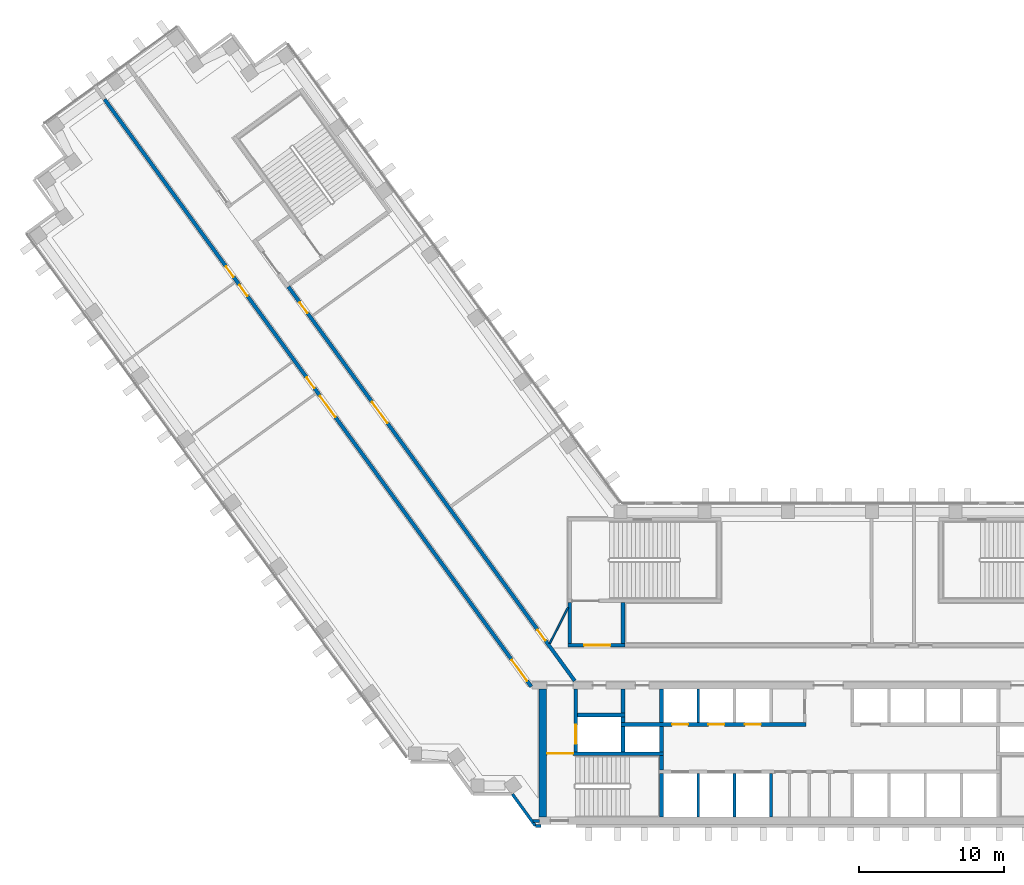
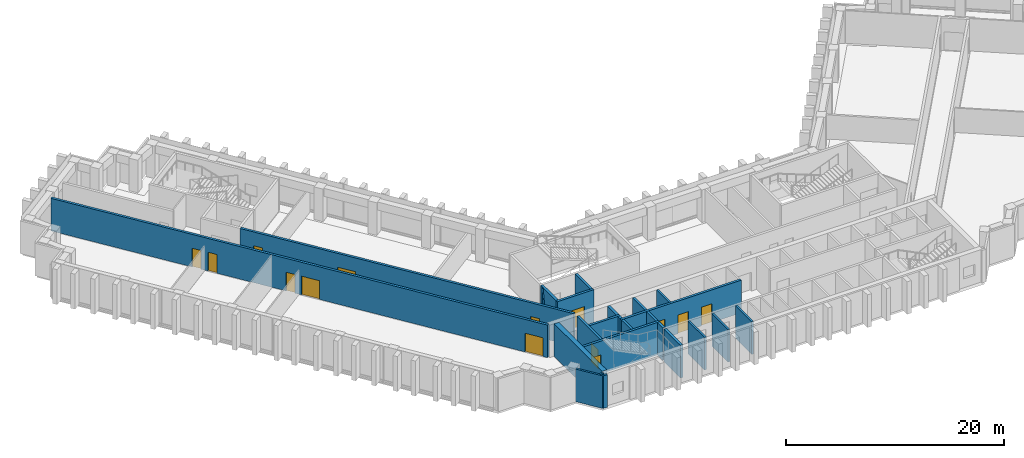
# One storey, part 5 of 12: 25 walls, 14 doors, 14 openings.
"""IFC4 building model written with IfcOpenShell, lengths in metres."""

from ifc_helpers import new_model, si_unit, direction, frame, frame_2d, origin, place, context, subcontext, project, spatial, rectangle, extrude, material, layer, layer_set, type_object, element, fill, save


model = new_model("IFC4")

# Units and contexts
model_context = context("Model", 3, precision=1e-05, world=origin(), true_north=direction((0.0, 1.0)))
body_context = subcontext(model_context, "Body", "Model", "MODEL_VIEW")
ifc_project = project(units=[si_unit("LENGTHUNIT", "METRE"), si_unit("AREAUNIT", "SQUARE_METRE"), si_unit("VOLUMEUNIT", "CUBIC_METRE"), si_unit("PLANEANGLEUNIT", "RADIAN"), si_unit("MASSUNIT", "GRAM", prefix="KILO")], contexts=[model_context])

# Site, building, storey
site_placement = place(None, origin())
site = spatial("IfcSite", under=ifc_project, at=site_placement, CompositionType="ELEMENT")
building_placement = place(site_placement, origin())
building = spatial("IfcBuilding", under=site, at=building_placement, Name="Quipu Civic Tower", CompositionType="ELEMENT")
storey_placement = place(building_placement, frame((0.0, 0.0, 121.0)))
storey = spatial("IfcBuildingStorey", under=building, at=storey_placement, Name="L28", CompositionType="ELEMENT", Elevation=121.0)

# Walls
ifc_material_1 = material(Name="Concrete C70/85", Category="concrete")
ifc_layer_1 = layer(ifc_material_1, 0.25)
ifc_layer_set_1 = layer_set([ifc_layer_1], Name="Concrete C70/85")
wall_type_1 = type_object("IfcWallType", Name="Core wall 250", PredefinedType="SHEAR", material=ifc_layer_set_1)
wall_1_placement = place(storey_placement, frame((-11.574951171875, -10.5, 0.0), z_axis=(0.0, 0.0, 1.0), x_axis=(0.0, 1.0, 0.0)))
element("IfcWall", 1, at=wall_1_placement, inside=storey, type_object=wall_type_1, Name="Core wall", PredefinedType="SHEAR", context=body_context, shape_type="SweptSolid", body=[
    extrude(rectangle(XDim=3.0, YDim=0.25, at=frame_2d((1.5, 0.0))), origin(), (0.0, 0.0, 1.0), 3.64990234375),
])
wall_2_placement = place(storey_placement, frame((-11.574951171875, -7.25, 0.0), z_axis=(0.0, 0.0, 1.0), x_axis=(0.0, 1.0, 0.0)))
element("IfcWall", 2, at=wall_2_placement, inside=storey, type_object=wall_type_1, Name="Core wall", PredefinedType="SHEAR", context=body_context, shape_type="SweptSolid", body=[
    extrude(rectangle(XDim=1.0, YDim=0.25, at=frame_2d((0.5, 0.0))), origin(), (0.0, 0.0, 1.0), 3.64990234375),
])

# Wall, opening, door
wall_3_placement = place(storey_placement, frame((-11.449951171875, -6.125, 0.0), z_axis=(0.0, 0.0, 1.0), x_axis=(-1.0, 0.0, 0.0)))
wall_3 = element("IfcWall", 3, at=wall_3_placement, inside=storey, type_object=wall_type_1, Name="Core wall", PredefinedType="SHEAR", context=body_context, shape_type="SweptSolid", body=[
    extrude(rectangle(XDim=8.050048828125, YDim=0.25, at=frame_2d((4.02490234375, 0.0))), origin(), (0.0, 0.0, 1.0), 3.64990234375),
])
opening_1_placement = place(wall_3_placement, frame((6.199951171875, 0.0, 0.0)))
opening_1 = element("IfcOpeningElement", 4, at=opening_1_placement, cuts=wall_3, Name="Opening CD-05", PredefinedType="OPENING", context=body_context, shape_type="SweptSolid", body=[
    extrude(rectangle(XDim=1.800048828125, YDim=2.10009765625, at=frame_2d((0.89990234375, 1.050048828125))), frame((0.0, 0.135009765625, 0.0), z_axis=(0.0, -1.0, 0.0), x_axis=(1.0, 0.0, 0.0)), (0.0, 0.0, 1.0), 0.27001953125),
])
ifc_material_2 = material(Name="Fire rated steel door", Category="steel")
door_type_1 = type_object("IfcDoorType", Name="Fire door FD90 double 1800 x 2100", OperationType="NOTDEFINED", PredefinedType="DOOR", material=ifc_material_2)
door_1_placement = place(opening_1_placement, origin())
door_1 = element("IfcDoor", 5, at=door_1_placement, inside=storey, type_object=door_type_1, Name="Door", OperationType="DOUBLE_DOOR_SINGLE_SWING", OverallHeight=2.10009765625, OverallWidth=1.800048828125, PredefinedType="DOOR", context=body_context, shape_type="SweptSolid", body=[
    extrude(rectangle(XDim=1.800048828125, YDim=2.10009765625, at=frame_2d((0.89990234375, 1.050048828125))), frame((0.0, 0.02490234375, 0.0), z_axis=(0.0, -1.0, 0.0), x_axis=(1.0, 0.0, 0.0)), (0.0, 0.0, 1.0), 0.050048828125),
])
fill(opening_1, door_1)

wall_4_placement = place(storey_placement, frame((-17.47509765625, -6.0, 0.0), z_axis=(0.0, 0.0, 1.0), x_axis=(0.0, 1.0, 0.0)))
wall_4 = element("IfcWall", 6, at=wall_4_placement, inside=storey, type_object=wall_type_1, Name="Core wall", PredefinedType="SHEAR", context=body_context, shape_type="SweptSolid", body=[
    extrude(rectangle(XDim=4.300048828125, YDim=0.25, at=frame_2d((2.14990234375, 0.0))), origin(), (0.0, 0.0, 1.0), 3.64990234375),
])
opening_2_placement = place(wall_4_placement, frame((0.550048828125, 0.0, 0.0)))
opening_2 = element("IfcOpeningElement", 7, at=opening_2_placement, cuts=wall_4, Name="Opening LD-FF1", PredefinedType="OPENING", context=body_context, shape_type="SweptSolid", body=[
    extrude(rectangle(XDim=1.300048828125, YDim=2.10009765625, at=frame_2d((0.64990234375, 1.050048828125))), frame((0.0, 0.135009765625, 0.0), z_axis=(0.0, -1.0, 0.0), x_axis=(1.0, 0.0, 0.0)), (0.0, 0.0, 1.0), 0.27001953125),
])
ifc_material_3 = material(Name="Stainless steel", Category="steel")
door_type_2 = type_object("IfcDoorType", Name="Lift landing door 1300 x 2100", OperationType="DOUBLE_DOOR_SLIDING", PredefinedType="DOOR", material=ifc_material_3)
door_2_placement = place(opening_2_placement, origin())
door_2 = element("IfcDoor", 8, at=door_2_placement, inside=storey, type_object=door_type_2, Name="Landing door FF1", OperationType="DOUBLE_DOOR_SLIDING", OverallHeight=2.10009765625, OverallWidth=1.300048828125, PredefinedType="DOOR", context=body_context, shape_type="SweptSolid", body=[
    extrude(rectangle(XDim=1.300048828125, YDim=2.10009765625, at=frame_2d((0.64990234375, 1.050048828125))), frame((0.0, 0.02490234375, 0.0), z_axis=(0.0, -1.0, 0.0), x_axis=(1.0, 0.0, 0.0)), (0.0, 0.0, 1.0), 0.050048828125),
])
fill(opening_2, door_2)

# Walls
for number, where, z_axis, x_axis, name in (
    (9, (-14.22509765625, -6.0, 0.0), (0.0, 0.0, 1.0), (0.0, 1.0, 0.0), "Core wall"),
    (10, (-11.574951171875, -6.0, 0.0), (0.0, 0.0, 1.0), (0.0, 1.0, 0.0), "Core wall"),
):
    element("IfcWall", number, at=place(storey_placement, frame(where, z_axis=z_axis, x_axis=x_axis)), inside=storey, type_object=wall_type_1, Name=name, PredefinedType="SHEAR", context=body_context, shape_type="SweptSolid", body=[
        extrude(rectangle(XDim=1.75, YDim=0.25, at=frame_2d((0.875, 0.0))), origin(), (0.0, 0.0, 1.0), 3.64990234375),
    ])

# Wall, openings, doors
wall_5_placement = place(storey_placement, frame((-14.35009765625, -4.125, 0.0), z_axis=(0.0, 0.0, 1.0), x_axis=(1.0, 0.0, 0.0)))
wall_5 = element("IfcWall", 11, at=wall_5_placement, inside=storey, type_object=wall_type_1, Name="Core wall", PredefinedType="SHEAR", context=body_context, shape_type="SweptSolid", body=[
    extrude(rectangle(XDim=12.7001953125, YDim=0.25, at=frame_2d((6.35009765625, 0.0))), origin(), (0.0, 0.0, 1.0), 3.64990234375),
])
opening_3_placement = place(wall_5_placement, frame((3.5, 0.0, 0.0)))
opening_3 = element("IfcOpeningElement", 12, at=opening_3_placement, cuts=wall_5, Name="Opening LD-LL4", PredefinedType="OPENING", context=body_context, shape_type="SweptSolid", body=[
    extrude(rectangle(XDim=1.10009765625, YDim=2.10009765625, at=frame_2d((0.550048828125, 1.050048828125))), frame((0.0, 0.135009765625, 0.0), z_axis=(0.0, -1.0, 0.0), x_axis=(1.0, 0.0, 0.0)), (0.0, 0.0, 1.0), 0.27001953125),
])
opening_4_placement = place(wall_5_placement, frame((6.0, 0.0, 0.0)))
opening_4 = element("IfcOpeningElement", 13, at=opening_4_placement, cuts=wall_5, Name="Opening LD-LL5", PredefinedType="OPENING", context=body_context, shape_type="SweptSolid", body=[
    extrude(rectangle(XDim=1.10009765625, YDim=2.10009765625, at=frame_2d((0.550048828125, 1.050048828125))), frame((0.0, 0.135009765625, 0.0), z_axis=(0.0, -1.0, 0.0), x_axis=(1.0, 0.0, 0.0)), (0.0, 0.0, 1.0), 0.27001953125),
])
opening_5_placement = place(wall_5_placement, frame((8.5, 0.0, 0.0)))
opening_5 = element("IfcOpeningElement", 14, at=opening_5_placement, cuts=wall_5, Name="Opening LD-LL6", PredefinedType="OPENING", context=body_context, shape_type="SweptSolid", body=[
    extrude(rectangle(XDim=1.10009765625, YDim=2.10009765625, at=frame_2d((0.550048828125, 1.050048828125))), frame((0.0, 0.135009765625, 0.0), z_axis=(0.0, -1.0, 0.0), x_axis=(1.0, 0.0, 0.0)), (0.0, 0.0, 1.0), 0.27001953125),
])
ifc_material_4 = material(Name="Stainless steel", Category="steel")
door_type_3 = type_object("IfcDoorType", Name="Lift landing door 1100 x 2100", OperationType="DOUBLE_DOOR_SLIDING", PredefinedType="DOOR", material=ifc_material_4)
door_3_placement = place(opening_3_placement, origin())
door_3 = element("IfcDoor", 15, at=door_3_placement, inside=storey, type_object=door_type_3, Name="Landing door LL4", OperationType="DOUBLE_DOOR_SLIDING", OverallHeight=2.10009765625, OverallWidth=1.10009765625, PredefinedType="DOOR", context=body_context, shape_type="SweptSolid", body=[
    extrude(rectangle(XDim=1.10009765625, YDim=2.10009765625, at=frame_2d((0.550048828125, 1.050048828125))), frame((0.0, 0.02490234375, 0.0), z_axis=(0.0, -1.0, 0.0), x_axis=(1.0, 0.0, 0.0)), (0.0, 0.0, 1.0), 0.050048828125),
])
fill(opening_3, door_3)
door_4_placement = place(opening_4_placement, origin())
door_4 = element("IfcDoor", 16, at=door_4_placement, inside=storey, type_object=door_type_3, Name="Landing door LL5", OperationType="DOUBLE_DOOR_SLIDING", OverallHeight=2.10009765625, OverallWidth=1.10009765625, PredefinedType="DOOR", context=body_context, shape_type="SweptSolid", body=[
    extrude(rectangle(XDim=1.10009765625, YDim=2.10009765625, at=frame_2d((0.550048828125, 1.050048828125))), frame((0.0, 0.02490234375, 0.0), z_axis=(0.0, -1.0, 0.0), x_axis=(1.0, 0.0, 0.0)), (0.0, 0.0, 1.0), 0.050048828125),
])
fill(opening_4, door_4)
door_5_placement = place(opening_5_placement, origin())
door_5 = element("IfcDoor", 17, at=door_5_placement, inside=storey, type_object=door_type_3, Name="Landing door LL6", OperationType="DOUBLE_DOOR_SLIDING", OverallHeight=2.10009765625, OverallWidth=1.10009765625, PredefinedType="DOOR", context=body_context, shape_type="SweptSolid", body=[
    extrude(rectangle(XDim=1.10009765625, YDim=2.10009765625, at=frame_2d((0.550048828125, 1.050048828125))), frame((0.0, 0.02490234375, 0.0), z_axis=(0.0, -1.0, 0.0), x_axis=(1.0, 0.0, 0.0)), (0.0, 0.0, 1.0), 0.050048828125),
])
fill(opening_5, door_5)

# Walls
wall_6_placement = place(storey_placement, frame((-14.22509765625, -4.0, 0.0), z_axis=(0.0, 0.0, 1.0), x_axis=(0.0, 1.0, 0.0)))
element("IfcWall", 18, at=wall_6_placement, inside=storey, type_object=wall_type_1, Name="Core wall", PredefinedType="SHEAR", context=body_context, shape_type="SweptSolid", body=[
    extrude(rectangle(XDim=0.39990234375, YDim=0.25, at=frame_2d((0.199951171875, 0.0))), origin(), (0.0, 0.0, 1.0), 3.64990234375),
])
wall_7_placement = place(storey_placement, frame((-11.574951171875, -4.0, 0.0), z_axis=(0.0, 0.0, 1.0), x_axis=(0.0, 1.0, 0.0)))
element("IfcWall", 19, at=wall_7_placement, inside=storey, type_object=wall_type_1, Name="Core wall", PredefinedType="SHEAR", context=body_context, shape_type="SweptSolid", body=[
    extrude(rectangle(XDim=2.300048828125, YDim=0.25, at=frame_2d((1.14990234375, 0.0))), origin(), (0.0, 0.0, 1.0), 3.64990234375),
])
wall_8_placement = place(storey_placement, frame((-17.35009765625, -3.47509765625, 0.0), z_axis=(0.0, 0.0, 1.0), x_axis=(1.0, 0.0, 0.0)))
element("IfcWall", 20, at=wall_8_placement, inside=storey, type_object=wall_type_1, Name="Core wall", PredefinedType="SHEAR", context=body_context, shape_type="SweptSolid", body=[
    extrude(rectangle(XDim=3.25, YDim=0.25, at=frame_2d((1.625, 0.0))), origin(), (0.0, 0.0, 1.0), 3.64990234375),
])
wall_9_placement = place(storey_placement, frame((-14.22509765625, -3.35009765625, 0.0), z_axis=(0.0, 0.0, 1.0), x_axis=(0.0, 1.0, 0.0)))
element("IfcWall", 21, at=wall_9_placement, inside=storey, type_object=wall_type_1, Name="Core wall", PredefinedType="SHEAR", context=body_context, shape_type="SweptSolid", body=[
    extrude(rectangle(XDim=1.650146484375, YDim=0.25, at=frame_2d((0.8251953125, 0.0))), origin(), (0.0, 0.0, 1.0), 3.64990234375),
])

# Wall, opening, door
wall_10_placement = place(storey_placement, frame((-18.0, 1.324951171875, 0.0), z_axis=(0.0, 0.0, 1.0), x_axis=(1.0, 0.0, 0.0)))
wall_10 = element("IfcWall", 22, at=wall_10_placement, inside=storey, type_object=wall_type_1, Name="Core wall", PredefinedType="SHEAR", context=body_context, shape_type="SweptSolid", body=[
    extrude(rectangle(XDim=3.89990234375, YDim=0.25, at=frame_2d((1.949951171875, 0.0))), origin(), (0.0, 0.0, 1.0), 3.64990234375),
])
opening_6_placement = place(wall_10_placement, frame((1.10009765625, 0.0, 0.0)))
opening_6 = element("IfcOpeningElement", 23, at=opening_6_placement, cuts=wall_10, Name="Opening CD-16", PredefinedType="OPENING", context=body_context, shape_type="SweptSolid", body=[
    extrude(rectangle(XDim=1.800048828125, YDim=2.10009765625, at=frame_2d((0.89990234375, 1.050048828125))), frame((0.0, 0.135009765625, 0.0), z_axis=(0.0, -1.0, 0.0), x_axis=(1.0, 0.0, 0.0)), (0.0, 0.0, 1.0), 0.27001953125),
])
door_6_placement = place(opening_6_placement, origin())
door_6 = element("IfcDoor", 24, at=door_6_placement, inside=storey, type_object=door_type_1, Name="Lobby door", OperationType="DOUBLE_DOOR_SINGLE_SWING", OverallHeight=2.10009765625, OverallWidth=1.800048828125, PredefinedType="DOOR", context=body_context, shape_type="SweptSolid", body=[
    extrude(rectangle(XDim=1.800048828125, YDim=2.10009765625, at=frame_2d((0.89990234375, 1.050048828125))), frame((0.0, 0.02490234375, 0.0), z_axis=(0.0, -1.0, 0.0), x_axis=(1.0, 0.0, 0.0)), (0.0, 0.0, 1.0), 0.050048828125),
])
fill(opening_6, door_6)

# Walls
for number, where, z_axis, x_axis, name in (
    (25, (-17.875, 1.449951171875, 0.0), (0.0, 0.0, 1.0), (0.0, 1.0, 0.0), "Core wall"),
    (26, (-14.22509765625, 1.449951171875, 0.0), (0.0, 0.0, 1.0), (0.0, 1.0, 0.0), "Core wall"),
):
    element("IfcWall", number, at=place(storey_placement, frame(where, z_axis=z_axis, x_axis=x_axis)), inside=storey, type_object=wall_type_1, Name=name, PredefinedType="SHEAR", context=body_context, shape_type="SweptSolid", body=[
        extrude(rectangle(XDim=2.800048828125, YDim=0.25, at=frame_2d((1.39990234375, 0.0))), origin(), (0.0, 0.0, 1.0), 3.64990234375),
    ])
ifc_material_5 = material(Name="Concrete C70/85", Category="concrete")
ifc_layer_2 = layer(ifc_material_5, 0.5)
ifc_layer_set_2 = layer_set([ifc_layer_2], Name="Concrete C70/85")
wall_type_2 = type_object("IfcWallType", Name="Core wall 500", PredefinedType="SHEAR", material=ifc_layer_set_2)
wall_11_placement = place(storey_placement, frame((-19.75, -10.5, 0.0), z_axis=(0.0, 0.0, 1.0), x_axis=(0.0, 1.0, 0.0)))
element("IfcWall", 27, at=wall_11_placement, inside=storey, type_object=wall_type_2, Name="Core wall", PredefinedType="SHEAR", context=body_context, shape_type="SweptSolid", body=[
    extrude(rectangle(XDim=8.800048828125, YDim=0.5, at=frame_2d((4.39990234375, 0.0))), origin(), (0.0, 0.0, 1.0), 3.64990234375),
])

# Wall, openings, doors
ifc_material_6 = material(Name="Concrete C50/60", Category="concrete")
ifc_layer_3 = layer(ifc_material_6, 0.25)
ifc_layer_set_3 = layer_set([ifc_layer_3], Name="Concrete C50/60")
wall_type_3 = type_object("IfcWallType", Name="Corridor wall 250 concrete", PredefinedType="SOLIDWALL", material=ifc_layer_set_3)
wall_12_placement = place(storey_placement, frame((-20.531005859375, -1.5234375, 0.0), z_axis=(0.0, 0.0, 1.0), x_axis=(-0.587784522481, 0.809017524614, 0.0)))
wall_12 = element("IfcWall", 28, at=wall_12_placement, inside=storey, type_object=wall_type_3, Name="Corridor wall C01", PredefinedType="SOLIDWALL", context=body_context, shape_type="SweptSolid", body=[
    extrude(rectangle(XDim=49.912353515625, YDim=0.25, at=frame_2d((24.9560546875, 0.0))), origin(), (0.0, 0.0, 1.0), 3.64990234375),
])
opening_7_placement = place(wall_12_placement, frame((34.816162109375, 0.0, 0.0)))
opening_7 = element("IfcOpeningElement", 29, at=opening_7_placement, cuts=wall_12, Name="Opening D013", PredefinedType="OPENING", context=body_context, shape_type="SweptSolid", body=[
    extrude(rectangle(XDim=0.89990234375, YDim=2.10009765625, at=frame_2d((0.449951171875, 1.050048828125))), frame((0.0, 0.135009765625, 0.0), z_axis=(0.0, -1.0, 0.0), x_axis=(1.0, 0.0, 0.0)), (0.0, 0.0, 1.0), 0.27001953125),
])
opening_8_placement = place(wall_12_placement, frame((33.21533203125, 0.0, 0.0)))
opening_8 = element("IfcOpeningElement", 30, at=opening_8_placement, cuts=wall_12, Name="Opening D014", PredefinedType="OPENING", context=body_context, shape_type="SweptSolid", body=[
    extrude(rectangle(XDim=0.89990234375, YDim=2.10009765625, at=frame_2d((0.449951171875, 1.050048828125))), frame((0.0, 0.135009765625, 0.0), z_axis=(0.0, -1.0, 0.0), x_axis=(1.0, 0.0, 0.0)), (0.0, 0.0, 1.0), 0.27001953125),
])
opening_9_placement = place(wall_12_placement, frame((22.915771484375, 0.0, 0.0)))
opening_9 = element("IfcOpeningElement", 31, at=opening_9_placement, cuts=wall_12, Name="Opening D016", PredefinedType="OPENING", context=body_context, shape_type="SweptSolid", body=[
    extrude(rectangle(XDim=1.800048828125, YDim=2.10009765625, at=frame_2d((0.89990234375, 1.050048828125))), frame((0.0, 0.135009765625, 0.0), z_axis=(0.0, -1.0, 0.0), x_axis=(1.0, 0.0, 0.0)), (0.0, 0.0, 1.0), 0.27001953125),
])
opening_10_placement = place(wall_12_placement, frame((0.483154296875, 0.0, 0.0)))
opening_10 = element("IfcOpeningElement", 32, at=opening_10_placement, cuts=wall_12, Name="Opening D017", PredefinedType="OPENING", context=body_context, shape_type="SweptSolid", body=[
    extrude(rectangle(XDim=1.800048828125, YDim=2.10009765625, at=frame_2d((0.89990234375, 1.050048828125))), frame((0.0, 0.135009765625, 0.0), z_axis=(0.0, -1.0, 0.0), x_axis=(1.0, 0.0, 0.0)), (0.0, 0.0, 1.0), 0.27001953125),
])
opening_11_placement = place(wall_12_placement, frame((25.365234375, 0.0, 0.0)))
opening_11 = element("IfcOpeningElement", 33, at=opening_11_placement, cuts=wall_12, Name="Opening D015", PredefinedType="OPENING", context=body_context, shape_type="SweptSolid", body=[
    extrude(rectangle(XDim=0.89990234375, YDim=2.10009765625, at=frame_2d((0.449951171875, 1.050048828125))), frame((0.0, 0.135009765625, 0.0), z_axis=(0.0, -1.0, 0.0), x_axis=(1.0, 0.0, 0.0)), (0.0, 0.0, 1.0), 0.27001953125),
])
ifc_material_7 = material(Name="Fire rated timber door set with metal frame", Category="wood")
door_type_4 = type_object("IfcDoorType", Name="Double door 1800 x 2100 FD60", OperationType="DOUBLE_DOOR_SINGLE_SWING", PredefinedType="DOOR", material=ifc_material_7)
door_7_placement = place(opening_9_placement, origin())
door_7 = element("IfcDoor", 34, at=door_7_placement, inside=storey, type_object=door_type_4, Name="Door D016", OperationType="DOUBLE_DOOR_SINGLE_SWING", OverallHeight=2.10009765625, OverallWidth=1.800048828125, PredefinedType="DOOR", context=body_context, shape_type="SweptSolid", body=[
    extrude(rectangle(XDim=1.800048828125, YDim=2.10009765625, at=frame_2d((0.89990234375, 1.050048828125))), frame((0.0, 0.02490234375, 0.0), z_axis=(0.0, -1.0, 0.0), x_axis=(1.0, 0.0, 0.0)), (0.0, 0.0, 1.0), 0.050048828125),
])
fill(opening_9, door_7)
door_8_placement = place(opening_10_placement, origin())
door_8 = element("IfcDoor", 35, at=door_8_placement, inside=storey, type_object=door_type_4, Name="Door D017", OperationType="DOUBLE_DOOR_SINGLE_SWING", OverallHeight=2.10009765625, OverallWidth=1.800048828125, PredefinedType="DOOR", context=body_context, shape_type="SweptSolid", body=[
    extrude(rectangle(XDim=1.800048828125, YDim=2.10009765625, at=frame_2d((0.89990234375, 1.050048828125))), frame((0.0, 0.02490234375, 0.0), z_axis=(0.0, -1.0, 0.0), x_axis=(1.0, 0.0, 0.0)), (0.0, 0.0, 1.0), 0.050048828125),
])
fill(opening_10, door_8)
ifc_material_8 = material(Name="Fire rated timber door set with metal frame", Category="wood")
door_type_5 = type_object("IfcDoorType", Name="Single door 900 x 2100 FD60", OperationType="NOTDEFINED", PredefinedType="DOOR", material=ifc_material_8)
door_9_placement = place(opening_7_placement, origin())
door_9 = element("IfcDoor", 36, at=door_9_placement, inside=storey, type_object=door_type_5, Name="Door D013", OperationType="SINGLE_SWING_LEFT", OverallHeight=2.10009765625, OverallWidth=0.89990234375, PredefinedType="DOOR", context=body_context, shape_type="SweptSolid", body=[
    extrude(rectangle(XDim=0.89990234375, YDim=2.10009765625, at=frame_2d((0.449951171875, 1.050048828125))), frame((0.0, 0.02490234375, 0.0), z_axis=(0.0, -1.0, 0.0), x_axis=(1.0, 0.0, 0.0)), (0.0, 0.0, 1.0), 0.050048828125),
])
fill(opening_7, door_9)
door_10_placement = place(opening_8_placement, origin())
door_10 = element("IfcDoor", 37, at=door_10_placement, inside=storey, type_object=door_type_5, Name="Door D014", OperationType="SINGLE_SWING_RIGHT", OverallHeight=2.10009765625, OverallWidth=0.89990234375, PredefinedType="DOOR", context=body_context, shape_type="SweptSolid", body=[
    extrude(rectangle(XDim=0.89990234375, YDim=2.10009765625, at=frame_2d((0.449951171875, 1.050048828125))), frame((0.0, 0.02490234375, 0.0), z_axis=(0.0, -1.0, 0.0), x_axis=(1.0, 0.0, 0.0)), (0.0, 0.0, 1.0), 0.050048828125),
])
fill(opening_8, door_10)
door_11_placement = place(opening_11_placement, origin())
door_11 = element("IfcDoor", 38, at=door_11_placement, inside=storey, type_object=door_type_5, Name="Door D015", OperationType="SINGLE_SWING_LEFT", OverallHeight=2.10009765625, OverallWidth=0.89990234375, PredefinedType="DOOR", context=body_context, shape_type="SweptSolid", body=[
    extrude(rectangle(XDim=0.89990234375, YDim=2.10009765625, at=frame_2d((0.449951171875, 1.050048828125))), frame((0.0, 0.02490234375, 0.0), z_axis=(0.0, -1.0, 0.0), x_axis=(1.0, 0.0, 0.0)), (0.0, 0.0, 1.0), 0.050048828125),
])
fill(opening_11, door_11)

wall_13_placement = place(storey_placement, frame((-37.231689453125, 25.9716796875, 0.0), z_axis=(0.0, 0.0, 1.0), x_axis=(0.587786323093, -0.809016216391, 0.0)))
wall_13 = element("IfcWall", 39, at=wall_13_placement, inside=storey, type_object=wall_type_3, Name="Corridor wall C03", PredefinedType="SOLIDWALL", context=body_context, shape_type="SweptSolid", body=[
    extrude(rectangle(XDim=33.4931640625, YDim=0.25, at=frame_2d((16.74658203125, 0.0))), origin(), (0.0, 0.0, 1.0), 3.64990234375),
])
opening_12_placement = place(wall_13_placement, frame((9.784912109375, 0.0, 0.0)))
opening_12 = element("IfcOpeningElement", 40, at=opening_12_placement, cuts=wall_13, Name="Opening D011", PredefinedType="OPENING", context=body_context, shape_type="SweptSolid", body=[
    extrude(rectangle(XDim=1.800048828125, YDim=2.10009765625, at=frame_2d((0.89990234375, 1.050048828125))), frame((0.0, 0.135009765625, 0.0), z_axis=(0.0, -1.0, 0.0), x_axis=(1.0, 0.0, 0.0)), (0.0, 0.0, 1.0), 0.27001953125),
])
opening_13_placement = place(wall_13_placement, frame((29.151611328125, 0.0, 0.0)))
opening_13 = element("IfcOpeningElement", 41, at=opening_13_placement, cuts=wall_13, Name="Opening D012", PredefinedType="OPENING", context=body_context, shape_type="SweptSolid", body=[
    extrude(rectangle(XDim=0.89990234375, YDim=2.10009765625, at=frame_2d((0.449951171875, 1.050048828125))), frame((0.0, 0.135009765625, 0.0), z_axis=(0.0, -1.0, 0.0), x_axis=(1.0, 0.0, 0.0)), (0.0, 0.0, 1.0), 0.27001953125),
])
opening_14_placement = place(wall_13_placement, frame((1.335205078125, 0.0, 0.0)))
opening_14 = element("IfcOpeningElement", 42, at=opening_14_placement, cuts=wall_13, Name="Opening D010", PredefinedType="OPENING", context=body_context, shape_type="SweptSolid", body=[
    extrude(rectangle(XDim=0.89990234375, YDim=2.10009765625, at=frame_2d((0.449951171875, 1.050048828125))), frame((0.0, 0.135009765625, 0.0), z_axis=(0.0, -1.0, 0.0), x_axis=(1.0, 0.0, 0.0)), (0.0, 0.0, 1.0), 0.27001953125),
])
door_12_placement = place(opening_12_placement, origin())
door_12 = element("IfcDoor", 43, at=door_12_placement, inside=storey, type_object=door_type_4, Name="Door D011", OperationType="DOUBLE_DOOR_SINGLE_SWING", OverallHeight=2.10009765625, OverallWidth=1.800048828125, PredefinedType="DOOR", context=body_context, shape_type="SweptSolid", body=[
    extrude(rectangle(XDim=1.800048828125, YDim=2.10009765625, at=frame_2d((0.89990234375, 1.050048828125))), frame((0.0, 0.02490234375, 0.0), z_axis=(0.0, -1.0, 0.0), x_axis=(1.0, 0.0, 0.0)), (0.0, 0.0, 1.0), 0.050048828125),
])
fill(opening_12, door_12)
door_13_placement = place(opening_13_placement, origin())
door_13 = element("IfcDoor", 44, at=door_13_placement, inside=storey, type_object=door_type_5, Name="Door D012", OperationType="SINGLE_SWING_RIGHT", OverallHeight=2.10009765625, OverallWidth=0.89990234375, PredefinedType="DOOR", context=body_context, shape_type="SweptSolid", body=[
    extrude(rectangle(XDim=0.89990234375, YDim=2.10009765625, at=frame_2d((0.449951171875, 1.050048828125))), frame((0.0, 0.02490234375, 0.0), z_axis=(0.0, -1.0, 0.0), x_axis=(1.0, 0.0, 0.0)), (0.0, 0.0, 1.0), 0.050048828125),
])
fill(opening_13, door_13)
door_14_placement = place(opening_14_placement, origin())
door_14 = element("IfcDoor", 45, at=door_14_placement, inside=storey, type_object=door_type_5, Name="Door D010", OperationType="SINGLE_SWING_RIGHT", OverallHeight=2.10009765625, OverallWidth=0.89990234375, PredefinedType="DOOR", context=body_context, shape_type="SweptSolid", body=[
    extrude(rectangle(XDim=0.89990234375, YDim=2.10009765625, at=frame_2d((0.449951171875, 1.050048828125))), frame((0.0, 0.02490234375, 0.0), z_axis=(0.0, -1.0, 0.0), x_axis=(1.0, 0.0, 0.0)), (0.0, 0.0, 1.0), 0.050048828125),
])
fill(opening_14, door_14)

# Walls
ifc_material_9 = material(Name="Gypsum plasterboard on light gauge framing")
ifc_layer_4 = layer(ifc_material_9, 0.1201171875)
ifc_layer_set_4 = layer_set([ifc_layer_4], Name="Gypsum plasterboard on light gauge framing")
wall_type_4 = type_object("IfcWallType", Name="Partition 120 plasterboard", PredefinedType="PARTITIONING", material=ifc_layer_set_4)
wall_14_placement = place(storey_placement, frame((-19.260986328125, 1.449951171875, 0.0), z_axis=(0.0, 0.0, 1.0), x_axis=(0.453950796792, 0.891026752736, 0.0)))
element("IfcWall", 46, at=wall_14_placement, inside=storey, type_object=wall_type_4, Name="Partition P14", PredefinedType="PARTITIONING", context=body_context, shape_type="SweptSolid", body=[
    extrude(rectangle(XDim=2.77783203125, YDim=0.1201171875, at=frame_2d((1.388916015625, 0.0))), origin(), (0.0, 0.0, 1.0), 3.64990234375),
])
ifc_material_10 = material(Name="Precast concrete C40/50", Category="concrete")
wall_type_5 = type_object("IfcWallType", Name="Precast cladding wall", PredefinedType="SOLIDWALL", material=ifc_material_10)
wall_15_placement = place(storey_placement, frame((-21.8330078125, -8.90869140625, 0.0), z_axis=(0.0, 0.0, 1.0), x_axis=(0.587766567315, -0.809030569476, 0.0)))
element("IfcWall", 47, at=wall_15_placement, inside=storey, type_object=wall_type_5, Name="Precast cladding wall L28 15", PredefinedType="SOLIDWALL", context=body_context, shape_type="SweptSolid", body=[
    extrude(rectangle(XDim=2.687744140625, YDim=0.199951171875, at=frame_2d((1.34375, 0.0))), origin(), (0.0, 0.0, 1.0), 3.64990234375),
])
wall_16_placement = place(storey_placement, frame((-20.255859375, -11.087890625, 0.0), z_axis=(0.0, 0.0, 1.0), x_axis=(1.0, 0.0, 0.0)))
element("IfcWall", 48, at=wall_16_placement, inside=storey, type_object=wall_type_5, Name="Precast cladding wall L28 16", PredefinedType="SOLIDWALL", context=body_context, shape_type="SweptSolid", body=[
    extrude(rectangle(XDim=0.40576171875, YDim=0.199951171875, at=frame_2d((0.202880859375, 0.0))), origin(), (0.0, 0.0, 1.0), 3.64990234375),
])
wall_17_placement = place(storey_placement, frame((-19.97998046875, -10.75, 0.0), z_axis=(0.0, 0.0, 1.0), x_axis=(-1.0, 0.0, 0.0)))
element("IfcWall", 49, at=wall_17_placement, inside=storey, type_object=wall_type_5, Name="Precast cladding return L28 W", PredefinedType="SOLIDWALL", context=body_context, shape_type="SweptSolid", body=[
    extrude(rectangle(XDim=0.41650390625, YDim=0.199951171875, at=frame_2d((0.208251953125, 0.0))), origin(), (0.0, 0.0, 1.0), 3.64990234375),
])
ifc_material_11 = material(Name="Concrete C40/50", Category="concrete")
ifc_layer_5 = layer(ifc_material_11, 0.199951171875)
ifc_layer_set_5 = layer_set([ifc_layer_5], Name="Concrete C40/50")
wall_type_6 = type_object("IfcWallType", Name="Shaft wall 200", PredefinedType="SOLIDWALL", material=ifc_layer_set_5)
for number, where, z_axis, x_axis, name in (
    (50, (-9.050048828125, -10.5, 0.0), (0.0, 0.0, 1.0), (0.0, 1.0, 0.0), "Shaft wall"),
    (51, (-6.550048828125, -10.5, 0.0), (0.0, 0.0, 1.0), (0.0, 1.0, 0.0), "Shaft wall"),
    (52, (-4.050048828125, -10.5, 0.0), (0.0, 0.0, 1.0), (0.0, 1.0, 0.0), "Shaft wall"),
):
    element("IfcWall", number, at=place(storey_placement, frame(where, z_axis=z_axis, x_axis=x_axis)), inside=storey, type_object=wall_type_6, Name=name, PredefinedType="SOLIDWALL", context=body_context, shape_type="SweptSolid", body=[
        extrude(rectangle(XDim=3.0, YDim=0.199951171875, at=frame_2d((1.5, 0.0))), origin(), (0.0, 0.0, 1.0), 3.64990234375),
    ])
wall_18_placement = place(storey_placement, frame((-9.050048828125, -4.0, 0.0), z_axis=(0.0, 0.0, 1.0), x_axis=(0.0, 1.0, 0.0)))
element("IfcWall", 53, at=wall_18_placement, inside=storey, type_object=wall_type_6, Name="Shaft wall", PredefinedType="SOLIDWALL", context=body_context, shape_type="SweptSolid", body=[
    extrude(rectangle(XDim=2.300048828125, YDim=0.199951171875, at=frame_2d((1.14990234375, 0.0))), origin(), (0.0, 0.0, 1.0), 3.64990234375),
])

save(model, "model.ifc")
